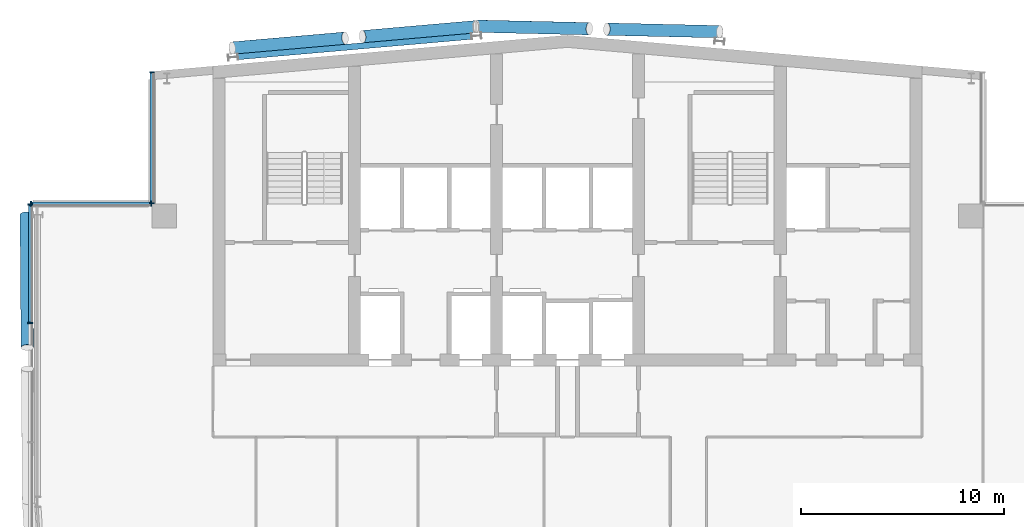
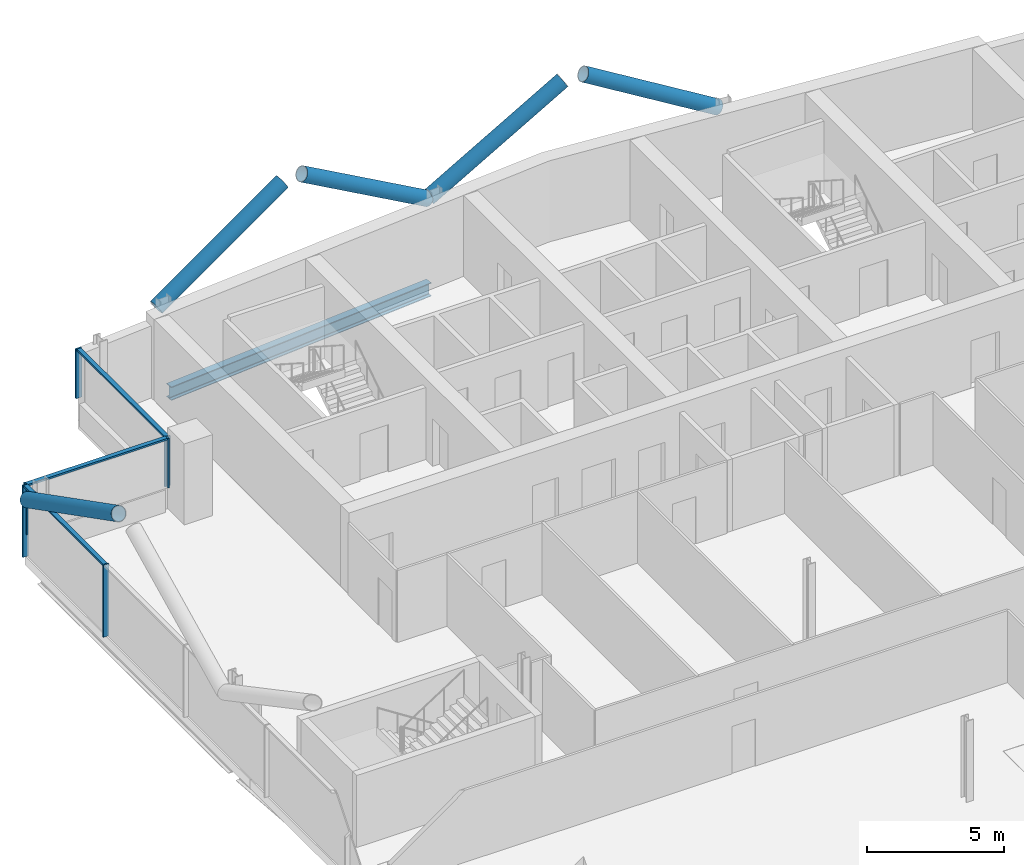
# One storey, part 10 of 27: 14 members, 1 beam, 3 elements without a shape of their own.
"""IFC4 building model written with IfcOpenShell, lengths in metres."""

from ifc_helpers import new_model, si_unit, direction, frame, origin, origin_2d, place, context, subcontext, project, spatial, rectangle, hollow_circle, i_section, extrude, material, material_profile, profile_set, type_object, element, aggregate, save


model = new_model("IFC4")

# Units and contexts
model_context = context("Model", 3, precision=1e-05, world=origin(), true_north=direction((0.0, 1.0)))
body_context = subcontext(model_context, "Body", "Model", "MODEL_VIEW")
ifc_project = project(units=[si_unit("LENGTHUNIT", "METRE"), si_unit("AREAUNIT", "SQUARE_METRE"), si_unit("VOLUMEUNIT", "CUBIC_METRE"), si_unit("PLANEANGLEUNIT", "RADIAN"), si_unit("MASSUNIT", "GRAM", prefix="KILO")], contexts=[model_context])

# Site, building, storey
site_placement = place(None, origin())
site = spatial("IfcSite", under=ifc_project, at=site_placement, CompositionType="ELEMENT")
building_placement = place(site_placement, origin())
building = spatial("IfcBuilding", under=site, at=building_placement, Name="Wharfspan Tower", CompositionType="ELEMENT")
storey_placement = place(building_placement, frame((0.0, 0.0, 210.699951)))
storey = spatial("IfcBuildingStorey", under=building, at=storey_placement, Name="L52", CompositionType="ELEMENT", Elevation=210.699951)

# Beam
ifc_material_1 = material(Name="Steel S355J2", Category="steel")
ifc_material_profile_1 = material_profile(ifc_material_1, i_section(OverallWidth=0.300049, OverallDepth=0.600098, WebThickness=0.015381, FlangeThickness=0.030029, FilletRadius=0.0271, at=origin_2d()))
ifc_profile_set_1 = profile_set([ifc_material_profile_1], Name="Steel S355J2")
beam_type = type_object("IfcBeamType", Name="Edge beam HEB 600", PredefinedType="SPANDREL", material=ifc_profile_set_1)
beam_placement = place(storey_placement, frame((35.754883, 50.263428, -0.699951), z_axis=(-0.996194, -0.087165, 0.0), x_axis=(0.087165, -0.996194, 0.0)))
element("IfcBeam", 1, at=beam_placement, inside=storey, type_object=beam_type, Name="Edge beam N1 L52 R.2 to R.1", PredefinedType="SPANDREL", context=body_context, shape_type="SweptSolid", body=[
    extrude(i_section(OverallWidth=0.300049, OverallDepth=0.600098, WebThickness=0.015381, FlangeThickness=0.030029, FilletRadius=0.0271, at=origin_2d()), origin(), (0.0, 0.0, 1.0), 11.553711),
])

# Curtain wall, members
ifc_material_2 = material(Name="Aluminium 6063-T6", Category="aluminium")
curtain_wall_type = type_object("IfcCurtainWallType", Name="CURTAIN WALL PROW AND END", PredefinedType="NOTDEFINED", material=ifc_material_2)
curtain_wall_1_placement = place(storey_placement, origin())
curtain_wall_1 = element("IfcCurtainWall", 2, at=curtain_wall_1_placement, inside=storey, type_object=curtain_wall_type, Name="Curtain wall NRW-V", PredefinedType="NOTDEFINED")
ifc_material_profile_2 = material_profile(ifc_material_2, rectangle(XDim=0.23999, YDim=0.060059, at=origin_2d()))
ifc_profile_set_2 = profile_set([ifc_material_profile_2], Name="Aluminium 6063-T6")
member_type_1 = type_object("IfcMemberType", Name="MULLION PROW AND END 60x240", PredefinedType="MULLION", material=ifc_profile_set_2)
member_1_placement = place(storey_placement, frame((20.0, 48.494873, 1.0), z_axis=(0.0, 0.0, 1.0), x_axis=(1.0, 0.0, 0.0)))
member_1 = element("IfcMember", 3, at=member_1_placement, type_object=member_type_1, Name="Curtain wall NRW-V mullion 1", PredefinedType="MULLION", context=body_context, shape_type="SweptSolid", body=[
    extrude(rectangle(XDim=0.23999, YDim=0.060059, at=origin_2d()), origin(), (0.0, 0.0, 1.0), 2.199951),
])
member_2_placement = place(storey_placement, frame((20.0, 42.030029, 1.0), z_axis=(0.0, 0.0, 1.0), x_axis=(1.0, 0.0, 0.0)))
member_2 = element("IfcMember", 4, at=member_2_placement, type_object=member_type_1, Name="Curtain wall NRW-V mullion 2", PredefinedType="MULLION", context=body_context, shape_type="SweptSolid", body=[
    extrude(rectangle(XDim=0.23999, YDim=0.060059, at=origin_2d()), origin(), (0.0, 0.0, 1.0), 2.199951),
])

curtain_wall_2_placement = place(storey_placement, origin())
curtain_wall_2 = element("IfcCurtainWall", 5, at=curtain_wall_2_placement, inside=storey, type_object=curtain_wall_type, Name="Curtain wall NRW-H", PredefinedType="NOTDEFINED")
member_3_placement = place(storey_placement, frame((19.969971, 42.0, 1.0), z_axis=(0.0, 0.0, 1.0), x_axis=(0.0, -1.0, 0.0)))
member_3 = element("IfcMember", 6, at=member_3_placement, type_object=member_type_1, Name="Curtain wall NRW-H mullion 1", PredefinedType="MULLION", context=body_context, shape_type="SweptSolid", body=[
    extrude(rectangle(XDim=0.23999, YDim=0.060059, at=origin_2d()), origin(), (0.0, 0.0, 1.0), 2.199951),
])
member_4_placement = place(storey_placement, frame((14.030029, 42.0, 1.0), z_axis=(0.0, 0.0, 1.0), x_axis=(0.0, -1.0, 0.0)))
member_4 = element("IfcMember", 7, at=member_4_placement, type_object=member_type_1, Name="Curtain wall NRW-H mullion 2", PredefinedType="MULLION", context=body_context, shape_type="SweptSolid", body=[
    extrude(rectangle(XDim=0.23999, YDim=0.060059, at=origin_2d()), origin(), (0.0, 0.0, 1.0), 2.199951),
])

curtain_wall_3_placement = place(storey_placement, origin())
curtain_wall_3 = element("IfcCurtainWall", 8, at=curtain_wall_3_placement, inside=storey, type_object=curtain_wall_type, Name="Curtain wall W", PredefinedType="NOTDEFINED")
member_5_placement = place(storey_placement, frame((14.0, 41.969971, 0.0), z_axis=(0.0, 0.0, 1.0), x_axis=(1.0, 0.0, 0.0)))
member_5 = element("IfcMember", 9, at=member_5_placement, type_object=member_type_1, Name="Curtain wall W mullion 1", PredefinedType="MULLION", context=body_context, shape_type="SweptSolid", body=[
    extrude(rectangle(XDim=0.23999, YDim=0.060059, at=origin_2d()), origin(), (0.0, 0.0, 1.0), 3.199951),
])
member_6_placement = place(storey_placement, frame((14.0, 36.120117, 0.0), z_axis=(0.0, 0.0, 1.0), x_axis=(1.0, 0.0, 0.0)))
member_6 = element("IfcMember", 10, at=member_6_placement, type_object=member_type_1, Name="Curtain wall W mullion 2", PredefinedType="MULLION", context=body_context, shape_type="SweptSolid", body=[
    extrude(rectangle(XDim=0.23999, YDim=0.060059, at=origin_2d()), origin(), (0.0, 0.0, 1.0), 3.199951),
])

# Members
ifc_material_3 = material(Name="Steel S460NH", Category="steel")
ifc_material_profile_3 = material_profile(ifc_material_3, hollow_circle(Radius=0.304932, WallThickness=0.024902, at=origin_2d()))
ifc_profile_set_3 = profile_set([ifc_material_profile_3], Name="Steel S460NH")
member_type_2 = type_object("IfcMemberType", Name="Mega brace CHS 610x25", PredefinedType="BRACE", material=ifc_profile_set_3)
member_7_placement = place(storey_placement, frame((13.792969, 41.459717, 2.900146), z_axis=(0.007044, -0.891361, 0.45324), x_axis=(0.999973, 0.007904, 3e-06)))
element("IfcMember", 11, at=member_7_placement, inside=storey, type_object=member_type_2, Name="Mega brace W3 L53 part 1", PredefinedType="BRACE", context=body_context, shape_type="SweptSolid", body=[
    extrude(hollow_circle(Radius=0.304932, WallThickness=0.024902, at=origin_2d()), origin(), (0.0, 0.0, 1.0), 7.347168),
])
member_8_placement = place(storey_placement, frame((23.960693, 49.685059, 2.900146), z_axis=(0.855093, 0.074814, 0.513048), x_axis=(-0.087159, 0.996198, -1e-06)))
element("IfcMember", 12, at=member_8_placement, inside=storey, type_object=member_type_2, Name="Mega brace N7 L53 part 1", PredefinedType="BRACE", context=body_context, shape_type="SweptSolid", body=[
    extrude(hollow_circle(Radius=0.304932, WallThickness=0.024902, at=origin_2d()), origin(), (0.0, 0.0, 1.0), 6.510254),
])
member_9_placement = place(storey_placement, frame((35.960693, 50.735107, 2.900146), z_axis=(-0.855103, -0.074812, 0.513032), x_axis=(0.087157, -0.996193, 2e-06)))
element("IfcMember", 13, at=member_9_placement, inside=storey, type_object=member_type_2, Name="Mega brace N7 L53 part 3", PredefinedType="BRACE", context=body_context, shape_type="SweptSolid", body=[
    extrude(hollow_circle(Radius=0.304932, WallThickness=0.024902, at=origin_2d()), origin(), (0.0, 0.0, 1.0), 6.510498),
])
for number, where, z_axis, x_axis, name in (
    (14, (36.010498, 50.762939, 2.900146), (0.857337, -0.019475, 0.514387), (0.022711, 0.999741, -2e-06), "Mega brace N8 L53 part 1"),
    (15, (48.010254, 50.490234, 2.900146), (-0.857337, 0.019475, 0.514387), (-0.022711, -0.999741, -2e-06), "Mega brace N8 L53 part 3"),
):
    element("IfcMember", number, at=place(storey_placement, frame(where, z_axis=z_axis, x_axis=x_axis)), inside=storey, type_object=member_type_2, Name=name, PredefinedType="BRACE", context=body_context, shape_type="SweptSolid", body=[
        extrude(hollow_circle(Radius=0.304932, WallThickness=0.024902, at=origin_2d()), origin(), (0.0, 0.0, 1.0), 6.493896),
    ])

# Member
ifc_material_profile_4 = material_profile(ifc_material_2, rectangle(XDim=0.179932, YDim=0.080078, at=origin_2d()))
ifc_profile_set_4 = profile_set([ifc_material_profile_4], Name="Aluminium 6063-T6")
member_type_3 = type_object("IfcMemberType", Name="TRANSOM PROW AND END 80x180", PredefinedType="USERDEFINED", material=ifc_profile_set_4)
member_10_placement = place(storey_placement, frame((20.0, 48.464844, 3.160156), z_axis=(0.0, -1.0, 0.0), x_axis=(1.0, 0.0, 0.0)))
member_10 = element("IfcMember", 16, at=member_10_placement, type_object=member_type_3, Name="Curtain wall NRW-V transom 1", ObjectType="TRANSOM", PredefinedType="USERDEFINED", context=body_context, shape_type="SweptSolid", body=[
    extrude(rectangle(XDim=0.179932, YDim=0.080078, at=origin_2d()), origin(), (0.0, 0.0, 1.0), 6.404785),
])

aggregate(curtain_wall_1, [member_1, member_2, member_10])

member_11_placement = place(storey_placement, frame((19.939941, 42.0, 3.160156), z_axis=(-1.0, 0.0, 0.0), x_axis=(0.0, -1.0, 0.0)))
member_11 = element("IfcMember", 17, at=member_11_placement, type_object=member_type_3, Name="Curtain wall NRW-H transom 1", ObjectType="TRANSOM", PredefinedType="USERDEFINED", context=body_context, shape_type="SweptSolid", body=[
    extrude(rectangle(XDim=0.179932, YDim=0.080078, at=origin_2d()), origin(), (0.0, 0.0, 1.0), 5.879883),
])

aggregate(curtain_wall_2, [member_3, member_4, member_11])

member_12_placement = place(storey_placement, frame((14.0, 41.939941, 3.160156), z_axis=(0.0, -1.0, 0.0), x_axis=(1.0, 0.0, 0.0)))
member_12 = element("IfcMember", 18, at=member_12_placement, type_object=member_type_3, Name="Curtain wall W transom 1", ObjectType="TRANSOM", PredefinedType="USERDEFINED", context=body_context, shape_type="SweptSolid", body=[
    extrude(rectangle(XDim=0.179932, YDim=0.080078, at=origin_2d()), origin(), (0.0, 0.0, 1.0), 5.790039),
])

aggregate(curtain_wall_3, [member_5, member_6, member_12])

save(model, "model.ifc")
